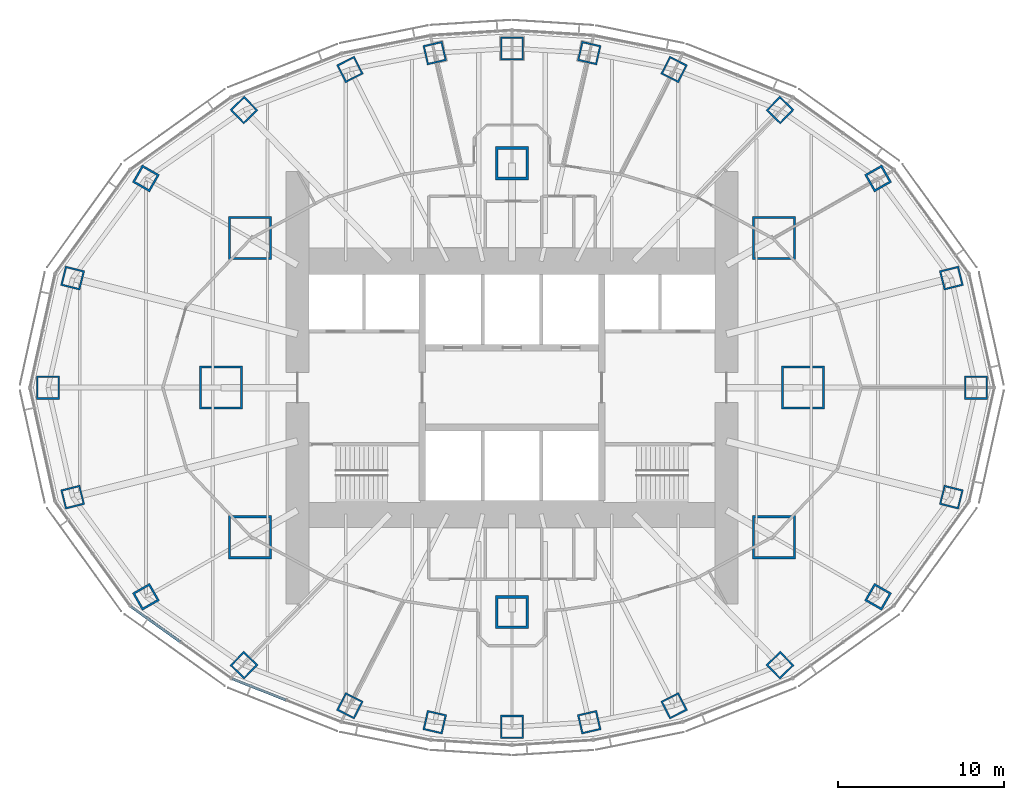
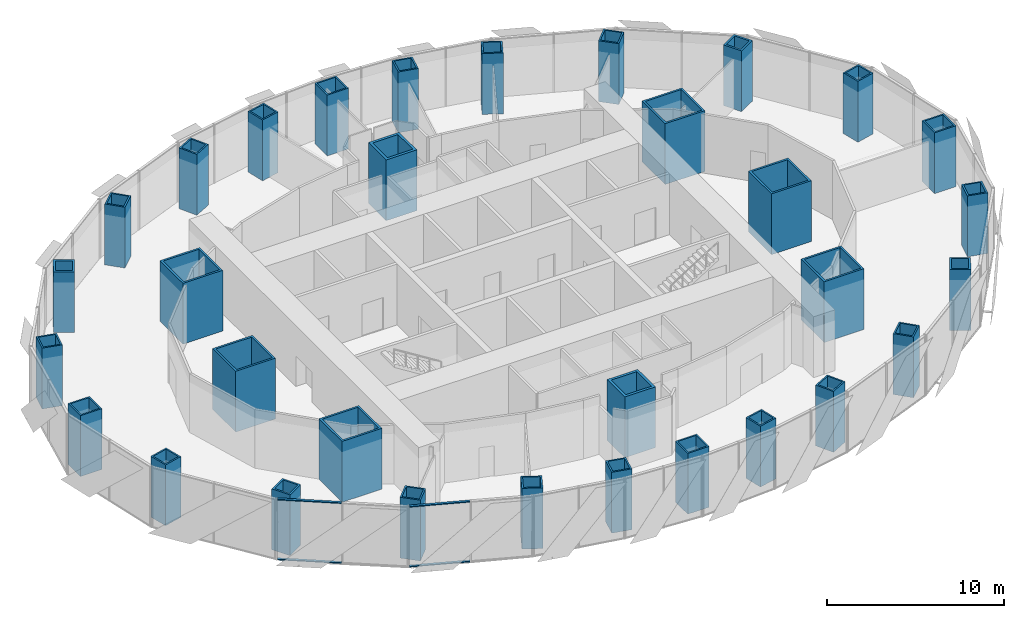
# One storey, part 1 of 18: 32 columns, 4 members, 2 elements without a shape of their own.
"""IFC4 building model written with IfcOpenShell, lengths in metres."""

import ifcopenshell
import ifcopenshell.guid

model = None  # the IFC model being written
_history = None  # IfcOwnerHistory: only IFC2X3 demands one
_inside = {}  # id of a spatial element -> (the spatial element, [elements in it])
_under = {}  # id of a project, library or spatial element -> (it, [spatial elements below it])
_declared = {}  # id of a project -> (the project, [libraries it declares])
_typed = {}  # id of a type object -> (the type object, [elements of that type])
_made_of = {}  # id of a material, layer set ... -> (it, [elements and type objects made of it])


def new_model(schema):
    """Start an empty IFC model of exactly this schema.

    Asked for "IFC4X3", IfcOpenShell would pick the latest addendum, in which some entities
    have other attributes; the version numbers below select the first issue.
    IFC2X3 requires an IfcOwnerHistory on every rooted entity: one is made here for all.
    """
    global model, _history
    if schema == "IFC4X3":
        model = ifcopenshell.file(schema_version=(4, 3, 0, 0))
    else:
        model = ifcopenshell.file(schema=schema)
    _inside.clear()
    _under.clear()
    _declared.clear()
    _typed.clear()
    _made_of.clear()
    _history = None
    if model.schema == "IFC2X3":
        org = make("IfcOrganization", Name="unknown")
        user = make(
            "IfcPersonAndOrganization",
            ThePerson=make("IfcPerson", FamilyName="unknown"),
            TheOrganization=org,
        )
        app = make(
            "IfcApplication",
            ApplicationDeveloper=org,
            Version="unknown",
            ApplicationFullName="unknown",
            ApplicationIdentifier="unknown",
        )
        _history = make(
            "IfcOwnerHistory",
            OwningUser=user,
            OwningApplication=app,
            ChangeAction="ADDED",
            CreationDate=0,
        )
    return model


def make(cls, **values):
    """One entity of the class cls with the attributes given. An attribute that is None is left unset."""
    return model.create_entity(
        cls, **{name: value for name, value in values.items() if value is not None}
    )


def rooted(cls, **values):
    """An entity with a GlobalId (a new one), such as an element, a storey or a relation."""
    return make(cls, GlobalId=ifcopenshell.guid.new(), OwnerHistory=_history, **values)


def si_unit(unit_type, name, prefix=None):
    """IfcSIUnit, for example si_unit("LENGTHUNIT", "METRE", prefix="MILLI")."""
    return make("IfcSIUnit", UnitType=unit_type, Prefix=prefix, Name=name)


def assignment(units):
    """IfcUnitAssignment: the units of a project."""
    return None if units is None else make("IfcUnitAssignment", Units=units)


def point(xyz):
    """IfcCartesianPoint."""
    return None if xyz is None else make("IfcCartesianPoint", Coordinates=xyz)


def direction(xyz):
    """IfcDirection."""
    return None if xyz is None else make("IfcDirection", DirectionRatios=xyz)


def frame(location, z_axis=None, x_axis=None):
    """IfcAxis2Placement3D, a coordinate frame: its origin and axes. An axis left out is left unset."""
    return make(
        "IfcAxis2Placement3D",
        Location=point(location),
        Axis=direction(z_axis),
        RefDirection=direction(x_axis),
    )


def frame_2d(location, x_axis=None):
    """IfcAxis2Placement2D, a coordinate frame in the plane: its origin and x axis."""
    return make(
        "IfcAxis2Placement2D", Location=point(location), RefDirection=direction(x_axis)
    )


def origin():
    """The frame at (0, 0, 0) with its axes left unset."""
    return frame((0.0, 0.0, 0.0))


def origin_2d():
    """The frame at (0, 0) in the plane with its x axis left unset."""
    return frame_2d((0.0, 0.0))


def place(relative_to, where):
    """IfcLocalPlacement: puts the frame where relative to a parent placement (None: the world)."""
    return make(
        "IfcLocalPlacement", PlacementRelTo=relative_to, RelativePlacement=where
    )


def context(
    kind, dimensions, precision=None, world=None, true_north=None, identifier=None
):
    """IfcGeometricRepresentationContext, for example the 3D "Model" context."""
    return make(
        "IfcGeometricRepresentationContext",
        ContextIdentifier=identifier,
        ContextType=kind,
        CoordinateSpaceDimension=dimensions,
        Precision=precision,
        WorldCoordinateSystem=world,
        TrueNorth=true_north,
    )


def subcontext(parent, identifier, kind, view, scale=None):
    """IfcGeometricRepresentationSubContext, for example "Body" below "Model"."""
    return make(
        "IfcGeometricRepresentationSubContext",
        ContextIdentifier=identifier,
        ContextType=kind,
        ParentContext=parent,
        TargetScale=scale,
        TargetView=view,
    )


def project(units=None, contexts=None):
    """IfcProject with its units and contexts."""
    return rooted(
        "IfcProject",
        Name="project",
        RepresentationContexts=contexts,
        UnitsInContext=assignment(units),
    )


def spatial(cls, under=None, at=None, **own):
    """A site, building, storey or space (cls), placed at a placement, below another one or the project."""
    s = rooted(cls, ObjectPlacement=at, **own)
    if under is not None:
        _under.setdefault(under.id(), (under, []))[1].append(s)
    return s


def profile(cls, at=None, kind="AREA", **sizes):
    """A parametric profile (cls). Its sizes go by their IFC names, for example OverallWidth=200.0."""
    return make(cls, ProfileType=kind, Position=at, **sizes)


def rectangle(**sizes):
    """IfcRectangleProfileDef."""
    return profile("IfcRectangleProfileDef", **sizes)


def hollow_rectangle(**sizes):
    """IfcRectangleHollowProfileDef."""
    return profile("IfcRectangleHollowProfileDef", **sizes)


def extrude(swept, where, along, depth):
    """IfcExtrudedAreaSolid: the profile swept, set in the frame where, extruded along a direction by depth."""
    return make(
        "IfcExtrudedAreaSolid",
        SweptArea=swept,
        Position=where,
        ExtrudedDirection=direction(along),
        Depth=depth,
    )


def shape(context_of_items, identifier, shape_type, items):
    """IfcShapeRepresentation: the items that make up one representation, for example the "Body"."""
    return make(
        "IfcShapeRepresentation",
        ContextOfItems=context_of_items,
        RepresentationIdentifier=identifier,
        RepresentationType=shape_type,
        Items=items,
    )


def material(Name=None, Category=None):
    """IfcMaterial."""
    return make("IfcMaterial", Name=Name, Category=Category)


def material_profile(
    of_material, cross_section, Name=None, Category=None, Priority=None
):
    """IfcMaterialProfile: a cross section and its material."""
    return make(
        "IfcMaterialProfile",
        Name=Name,
        Material=of_material,
        Profile=cross_section,
        Priority=Priority,
        Category=Category,
    )


def profile_set(profiles, Name=None, composite=None):
    """IfcMaterialProfileSet."""
    return make(
        "IfcMaterialProfileSet",
        Name=Name,
        MaterialProfiles=profiles,
        CompositeProfile=composite,
    )


def made_of(thing, what):
    """Note that an element or type object is made of a material, layer set ...; save() writes the relation."""
    if what is not None:
        _made_of.setdefault(what.id(), (what, []))[1].append(thing)
    return thing


def type_object(cls, material=None, **own):
    """A type object (cls), such as IfcWallType, which elements share."""
    return made_of(rooted(cls, **own), material)


def element(
    cls,
    number,
    at=None,
    inside=None,
    cuts=None,
    type_object=None,
    material=None,
    context=None,
    identifier="Body",
    shape_type=None,
    held_by="IfcProductDefinitionShape",
    body=None,
    shapes=None,
    **own,
):
    """One element of the class cls, such as IfcWall. Its Tag is "e" and its number.

    at: its placement. inside: the storey or other place that contains it. cuts: it is an
    opening in that element (IfcRelVoidsElement). A single representation is given by context,
    identifier, shape_type and body (its items); several are given by shapes. held_by: the class
    of the entity that holds the representations. save() writes the other relations.
    """
    e = rooted(cls, Tag="e%d" % number, ObjectPlacement=at, **own)
    if body is not None:
        shapes = [shape(context, identifier, shape_type, body)]
    if shapes is not None:
        e.Representation = make(held_by, Representations=shapes)
    if inside is not None:
        _inside.setdefault(inside.id(), (inside, []))[1].append(e)
    if cuts is not None:
        rooted(
            "IfcRelVoidsElement", RelatingBuildingElement=cuts, RelatedOpeningElement=e
        )
    if type_object is not None:
        _typed.setdefault(type_object.id(), (type_object, []))[1].append(e)
    return made_of(e, material)


def aggregate(whole, parts):
    """IfcRelAggregates: a whole, such as a stair, and the parts it consists of."""
    return rooted("IfcRelAggregates", RelatingObject=whole, RelatedObjects=parts)


def save(model, path):
    """Write the relations noted so far, then the file.

    IfcRelAggregates (storeys below a building ...), IfcRelContainedInSpatialStructure (elements
    in a storey), IfcRelDefinesByType, IfcRelAssociatesMaterial and IfcRelDeclares: one each for
    every whole, place, type object, material and project.
    """
    for whole, parts in _under.values():
        aggregate(whole, parts)
    for where, things in _inside.values():
        rooted(
            "IfcRelContainedInSpatialStructure",
            RelatedElements=things,
            RelatingStructure=where,
        )
    for kind, things in _typed.values():
        rooted("IfcRelDefinesByType", RelatedObjects=things, RelatingType=kind)
    for what, things in _made_of.values():
        rooted("IfcRelAssociatesMaterial", RelatedObjects=things, RelatingMaterial=what)
    for by, libraries in _declared.values():
        rooted("IfcRelDeclares", RelatingContext=by, RelatedDefinitions=libraries)
    model.write(path)


model = new_model("IFC4")

# Units and contexts
model_context = context("Model", 3, precision=1e-05, world=origin(), true_north=direction((0.0, 1.0)))
body_context = subcontext(model_context, "Body", "Model", "MODEL_VIEW")
ifc_project = project(units=[si_unit("LENGTHUNIT", "METRE"), si_unit("AREAUNIT", "SQUARE_METRE"), si_unit("VOLUMEUNIT", "CUBIC_METRE"), si_unit("PLANEANGLEUNIT", "RADIAN"), si_unit("MASSUNIT", "GRAM", prefix="KILO")], contexts=[model_context])

# Site, building, storey
site_placement = place(None, origin())
site = spatial("IfcSite", under=ifc_project, at=site_placement, CompositionType="ELEMENT")
building_placement = place(site_placement, origin())
building = spatial("IfcBuilding", under=site, at=building_placement, Name="Lantaw Convention Tower", CompositionType="ELEMENT")
storey_placement = place(building_placement, frame((0.0, 0.0, 180.39990234375)))
storey = spatial("IfcBuildingStorey", under=building, at=storey_placement, Name="L42", CompositionType="ELEMENT", Elevation=180.39990234375)

# Columns
ifc_material_1 = material(Name="Steel EN 10025-3 S460N", Category="steel")
ifc_material_profile_1 = material_profile(ifc_material_1, hollow_rectangle(XDim=2.0, YDim=2.0, WallThickness=0.169921875, at=origin_2d()), Name="BOX2000X170")
ifc_material_2 = material(Name="Concrete C60/75", Category="concrete")
ifc_material_profile_2 = material_profile(ifc_material_2, rectangle(XDim=1.659912109375, YDim=1.659912109375, at=origin_2d()), Name="Concrete fill of BOX2000X170")
ifc_profile_set_1 = profile_set([ifc_material_profile_1, ifc_material_profile_2], Name="Steel EN 10025-3 S460N")
column_type_1 = type_object("IfcColumnType", Name="Column MC BOX2000X170", PredefinedType="COLUMN", material=ifc_profile_set_1)
for number, where, z_axis, x_axis, name in (
    (1, (0.0, 13.5, 0.0), (0.0, 0.0, 1.0), (1.0, 0.0, 0.0), "Mega column M3"),
    (2, (0.0, -13.5, 0.0), (0.0, 0.0, 1.0), (1.0, 0.0, 0.0), "Mega column M7"),
):
    element("IfcColumn", number, at=place(storey_placement, frame(where, z_axis=z_axis, x_axis=x_axis)), inside=storey, type_object=column_type_1, Name=name, PredefinedType="COLUMN", context=body_context, shape_type="SweptSolid", body=[
        extrude(hollow_rectangle(XDim=2.0, YDim=2.0, WallThickness=0.169921875, at=origin_2d()), origin(), (0.0, 0.0, 1.0), 4.2001953125),
    ])
ifc_material_profile_3 = material_profile(ifc_material_1, hollow_rectangle(XDim=2.60009765625, YDim=2.60009765625, WallThickness=0.1298828125, at=origin_2d()), Name="BOX2600X130")
ifc_material_profile_4 = material_profile(ifc_material_2, rectangle(XDim=2.340087890625, YDim=2.340087890625, at=origin_2d()), Name="Concrete fill of BOX2600X130")
ifc_profile_set_2 = profile_set([ifc_material_profile_3, ifc_material_profile_4], Name="Steel EN 10025-3 S460N")
column_type_2 = type_object("IfcColumnType", Name="Column MC BOX2600X130", PredefinedType="COLUMN", material=ifc_profile_set_2)
for number, where, z_axis, x_axis, name in (
    (3, (17.5, 0.0, 0.0), (0.0, 0.0, 1.0), (1.0, 0.0, 0.0), "Mega column M1"),
    (4, (15.75, 9.0, 0.0), (0.0, 0.0, 1.0), (1.0, 0.0, 0.0), "Mega column M2"),
    (5, (-15.75, 9.0, 0.0), (0.0, 0.0, 1.0), (1.0, 0.0, 0.0), "Mega column M4"),
    (6, (-17.5, 0.0, 0.0), (0.0, 0.0, 1.0), (1.0, 0.0, 0.0), "Mega column M5"),
    (7, (-15.75, -9.0, 0.0), (0.0, 0.0, 1.0), (1.0, 0.0, 0.0), "Mega column M6"),
    (8, (15.75, -9.0, 0.0), (0.0, 0.0, 1.0), (1.0, 0.0, 0.0), "Mega column M8"),
):
    element("IfcColumn", number, at=place(storey_placement, frame(where, z_axis=z_axis, x_axis=x_axis)), inside=storey, type_object=column_type_2, Name=name, PredefinedType="COLUMN", context=body_context, shape_type="SweptSolid", body=[
        extrude(hollow_rectangle(XDim=2.60009765625, YDim=2.60009765625, WallThickness=0.1298828125, at=origin_2d()), origin(), (0.0, 0.0, 1.0), 4.2001953125),
    ])
ifc_material_profile_5 = material_profile(ifc_material_1, hollow_rectangle(XDim=1.199951171875, YDim=1.199951171875, WallThickness=0.10009765625, at=origin_2d()), Name="BOX1200X100")
ifc_material_profile_6 = material_profile(ifc_material_2, rectangle(XDim=1.0, YDim=1.0, at=origin_2d()), Name="Concrete fill of BOX1200X100")
ifc_profile_set_3 = profile_set([ifc_material_profile_5, ifc_material_profile_6], Name="Steel EN 10025-3 S460N")
column_type_3 = type_object("IfcColumnType", Name="Column PC BOX1200X100", PredefinedType="COLUMN", material=ifc_profile_set_3)
for number, where, z_axis, x_axis, name in (
    (9, (26.419921875, 6.587158203125, 0.0), (0.0, 0.0, 1.0), (0.970295726276, 0.2419218956, 0.0), "Perimeter column P2"),
    (10, (16.11767578125, 16.690185546875, 0.0), (0.0, 0.0, 1.0), (0.694658370459, 0.719339800339, 0.0), "Perimeter column P4"),
    (11, (9.74853515625, 19.1328125, 0.0), (0.0, 0.0, 1.0), (0.45399049974, 0.891006524188, 0.0), "Perimeter column P5"),
    (12, (4.64501953125, 20.1201171875, 0.0), (0.0, 0.0, 1.0), (0.224951054344, 0.974370064785, 0.0), "Perimeter column P6"),
    (13, (-4.64501953125, 20.1201171875, 0.0), (0.0, 0.0, 1.0), (0.974370064785, 0.224951054344, 0.0), "Perimeter column P8"),
    (14, (-9.74853515625, 19.1328125, 0.0), (0.0, 0.0, 1.0), (0.891006524188, 0.45399049974, 0.0), "Perimeter column P9"),
    (15, (-16.11767578125, 16.690185546875, 0.0), (0.0, 0.0, 1.0), (0.719339800339, 0.694658370459, 0.0), "Perimeter column P10"),
    (16, (-26.419921875, 6.587158203125, 0.0), (0.0, 0.0, 1.0), (0.2419218956, 0.970295726276, 0.0), "Perimeter column P12"),
    (17, (-26.419921875, -6.587158203125, 0.0), (0.0, 0.0, 1.0), (0.970295726276, 0.2419218956, 0.0), "Perimeter column P14"),
    (18, (-16.11767578125, -16.690185546875, 0.0), (0.0, 0.0, 1.0), (0.694658370459, 0.719339800339, 0.0), "Perimeter column P16"),
    (19, (-9.74853515625, -19.1328125, 0.0), (0.0, 0.0, 1.0), (0.45399049974, 0.891006524188, 0.0), "Perimeter column P17"),
    (20, (-4.64501953125, -20.1201171875, 0.0), (0.0, 0.0, 1.0), (0.224951054344, 0.974370064785, 0.0), "Perimeter column P18"),
    (21, (4.64501953125, -20.1201171875, 0.0), (0.0, 0.0, 1.0), (0.974370064785, 0.224951054344, 0.0), "Perimeter column P20"),
    (22, (9.74853515625, -19.1328125, 0.0), (0.0, 0.0, 1.0), (0.891006524188, 0.45399049974, 0.0), "Perimeter column P21"),
    (23, (16.11767578125, -16.690185546875, 0.0), (0.0, 0.0, 1.0), (0.719339800339, 0.694658370459, 0.0), "Perimeter column P22"),
    (24, (26.419921875, -6.587158203125, 0.0), (0.0, 0.0, 1.0), (0.2419218956, 0.970295726276, 0.0), "Perimeter column P24"),
):
    element("IfcColumn", number, at=place(storey_placement, frame(where, z_axis=z_axis, x_axis=x_axis)), inside=storey, type_object=column_type_3, Name=name, PredefinedType="COLUMN", context=body_context, shape_type="SweptSolid", body=[
        extrude(hollow_rectangle(XDim=1.199951171875, YDim=1.199951171875, WallThickness=0.10009765625, at=origin_2d()), origin(), (0.0, 0.0, 1.0), 4.2001953125),
    ])
ifc_material_profile_7 = material_profile(ifc_material_1, hollow_rectangle(XDim=1.199951171875, YDim=1.199951171875, WallThickness=0.1201171875, at=origin_2d()), Name="BOX1200X120")
ifc_material_profile_8 = material_profile(ifc_material_2, rectangle(XDim=0.9599609375, YDim=0.9599609375, at=origin_2d()), Name="Concrete fill of BOX1200X120")
ifc_profile_set_4 = profile_set([ifc_material_profile_7, ifc_material_profile_8], Name="Steel EN 10025-3 S460N")
column_type_4 = type_object("IfcColumnType", Name="Column PC BOX1200X120", PredefinedType="COLUMN", material=ifc_profile_set_4)
for number, where, z_axis, x_axis, name in (
    (25, (22.013916015625, 12.579345703125, 0.0), (0.0, 0.0, 1.0), (0.86824298017, 0.496139221777, 0.0), "Perimeter column P3"),
    (26, (-22.013916015625, 12.579345703125, 0.0), (0.0, 0.0, 1.0), (0.496139221777, 0.86824298017, 0.0), "Perimeter column P11"),
    (27, (-22.013916015625, -12.579345703125, 0.0), (0.0, 0.0, 1.0), (0.86824298017, 0.496139221777, 0.0), "Perimeter column P15"),
    (28, (22.013916015625, -12.579345703125, 0.0), (0.0, 0.0, 1.0), (0.496139221777, 0.86824298017, 0.0), "Perimeter column P23"),
):
    element("IfcColumn", number, at=place(storey_placement, frame(where, z_axis=z_axis, x_axis=x_axis)), inside=storey, type_object=column_type_4, Name=name, PredefinedType="COLUMN", context=body_context, shape_type="SweptSolid", body=[
        extrude(hollow_rectangle(XDim=1.199951171875, YDim=1.199951171875, WallThickness=0.1201171875, at=origin_2d()), origin(), (0.0, 0.0, 1.0), 4.2001953125),
    ])
ifc_material_profile_9 = material_profile(ifc_material_1, hollow_rectangle(XDim=1.39990234375, YDim=1.39990234375, WallThickness=0.10009765625, at=origin_2d()), Name="BOX1400X100")
ifc_material_profile_10 = material_profile(ifc_material_2, rectangle(XDim=1.199951171875, YDim=1.199951171875, at=origin_2d()), Name="Concrete fill of BOX1400X100")
ifc_profile_set_5 = profile_set([ifc_material_profile_9, ifc_material_profile_10], Name="Steel EN 10025-3 S460N")
column_type_5 = type_object("IfcColumnType", Name="Column PC BOX1400X100", PredefinedType="COLUMN", material=ifc_profile_set_5)
for number, where, z_axis, x_axis, name in (
    (29, (27.89990234375, 0.0, 0.0), (0.0, 0.0, 1.0), (1.0, 0.0, 0.0), "Perimeter column P1"),
    (30, (0.0, 20.39990234375, 0.0), (0.0, 0.0, 1.0), (1.0, 0.0, 0.0), "Perimeter column P7"),
    (31, (-27.89990234375, 0.0, 0.0), (0.0, 0.0, 1.0), (1.0, 0.0, 0.0), "Perimeter column P13"),
    (32, (0.0, -20.39990234375, 0.0), (0.0, 0.0, 1.0), (1.0, 0.0, 0.0), "Perimeter column P19"),
):
    element("IfcColumn", number, at=place(storey_placement, frame(where, z_axis=z_axis, x_axis=x_axis)), inside=storey, type_object=column_type_5, Name=name, PredefinedType="COLUMN", context=body_context, shape_type="SweptSolid", body=[
        extrude(hollow_rectangle(XDim=1.39990234375, YDim=1.39990234375, WallThickness=0.10009765625, at=origin_2d()), origin(), (0.0, 0.0, 1.0), 4.2001953125),
    ])

# Curtain wall, members
ifc_material_3 = material(Name="Aluminium framed curtain wall", Category="aluminium")
curtain_wall_type = type_object("IfcCurtainWallType", Name="Office curtain wall low rise, pale aluminium", PredefinedType="USERDEFINED", material=ifc_material_3)
curtain_wall_1_placement = place(storey_placement, origin())
curtain_wall_1 = element("IfcCurtainWall", 33, at=curtain_wall_1_placement, inside=storey, type_object=curtain_wall_type, Name="Office curtain wall low rise, pale aluminium L42", ObjectType="UNITISED CURTAIN WALL", PredefinedType="USERDEFINED")
ifc_material_4 = material(Name="Aluminium 6063-T6", Category="aluminium")
ifc_material_profile_11 = material_profile(ifc_material_4, rectangle(XDim=0.159912109375, YDim=0.06494140625, at=origin_2d()), Name="CW-O1 transom 65x160")
ifc_profile_set_6 = profile_set([ifc_material_profile_11], Name="Aluminium 6063-T6")
member_type = type_object("IfcMemberType", Name="CW-O1 transom 65x160", PredefinedType="USERDEFINED", material=ifc_profile_set_6)
member_1_placement = place(storey_placement, frame((-22.916259765625, -13.1630859375, -0.117431640625), z_axis=(0.813221785972, -0.581953887194, 0.0), x_axis=(0.581953887194, 0.813221785972, 0.0)))
member_1 = element("IfcMember", 34, at=member_1_placement, type_object=member_type, Name="CW-O1 transom 1.1", ObjectType="TRANSOM", PredefinedType="USERDEFINED", context=body_context, shape_type="SweptSolid", body=[
    extrude(rectangle(XDim=0.159912109375, YDim=0.06494140625, at=origin_2d()), origin(), (0.0, 0.0, 1.0), 3.645263671875),
])
member_2_placement = place(storey_placement, frame((-22.916259765625, -13.1630859375, 4.017578125), z_axis=(0.813221785972, -0.581953887194, 0.0), x_axis=(0.581953887194, 0.813221785972, 0.0)))
member_2 = element("IfcMember", 35, at=member_2_placement, type_object=member_type, Name="CW-O1 transom 1.2", ObjectType="TRANSOM", PredefinedType="USERDEFINED", context=body_context, shape_type="SweptSolid", body=[
    extrude(rectangle(XDim=0.159912109375, YDim=0.06494140625, at=origin_2d()), origin(), (0.0, 0.0, 1.0), 3.645263671875),
])
aggregate(curtain_wall_1, [member_1, member_2])

curtain_wall_2_placement = place(storey_placement, origin())
curtain_wall_2 = element("IfcCurtainWall", 36, at=curtain_wall_2_placement, inside=storey, type_object=curtain_wall_type, Name="Office curtain wall low rise, pale aluminium L42", ObjectType="UNITISED CURTAIN WALL", PredefinedType="USERDEFINED")
member_3_placement = place(storey_placement, frame((-16.8212890625, -17.505615234375, -0.117431640625), z_axis=(0.929564188507, -0.368660303592, 0.0), x_axis=(0.368660303592, 0.929564188507, 0.0)))
member_3 = element("IfcMember", 37, at=member_3_placement, type_object=member_type, Name="CW-O1 transom 1.1", ObjectType="TRANSOM", PredefinedType="USERDEFINED", context=body_context, shape_type="SweptSolid", body=[
    extrude(rectangle(XDim=0.159912109375, YDim=0.06494140625, at=origin_2d()), origin(), (0.0, 0.0, 1.0), 3.470703125),
])
member_4_placement = place(storey_placement, frame((-16.8212890625, -17.505615234375, 4.017578125), z_axis=(0.929564188507, -0.368660303592, 0.0), x_axis=(0.368660303592, 0.929564188507, 0.0)))
member_4 = element("IfcMember", 38, at=member_4_placement, type_object=member_type, Name="CW-O1 transom 1.2", ObjectType="TRANSOM", PredefinedType="USERDEFINED", context=body_context, shape_type="SweptSolid", body=[
    extrude(rectangle(XDim=0.159912109375, YDim=0.06494140625, at=origin_2d()), origin(), (0.0, 0.0, 1.0), 3.470703125),
])
aggregate(curtain_wall_2, [member_3, member_4])

save(model, "model.ifc")
